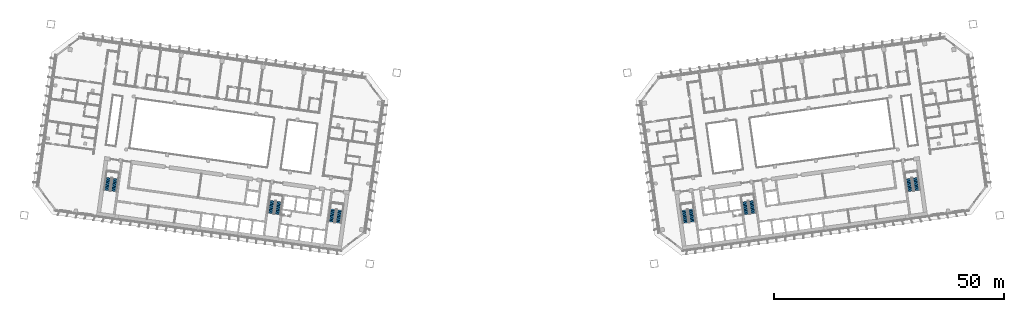
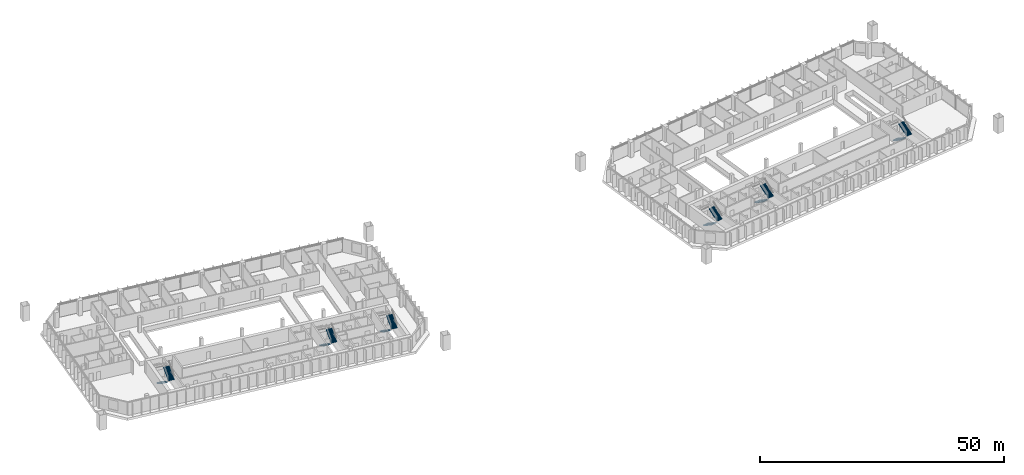
# One storey, part 23 of 26: 12 stair flights, 6 elements without a shape of their own.
"""IFC4 building model written with IfcOpenShell, lengths in metres."""

import ifcopenshell
import ifcopenshell.guid

model = None  # the IFC model being written
_history = None  # IfcOwnerHistory: only IFC2X3 demands one
_inside = {}  # id of a spatial element -> (the spatial element, [elements in it])
_under = {}  # id of a project, library or spatial element -> (it, [spatial elements below it])
_declared = {}  # id of a project -> (the project, [libraries it declares])
_typed = {}  # id of a type object -> (the type object, [elements of that type])
_made_of = {}  # id of a material, layer set ... -> (it, [elements and type objects made of it])


def new_model(schema):
    """Start an empty IFC model of exactly this schema.

    Asked for "IFC4X3", IfcOpenShell would pick the latest addendum, in which some entities
    have other attributes; the version numbers below select the first issue.
    IFC2X3 requires an IfcOwnerHistory on every rooted entity: one is made here for all.
    """
    global model, _history
    if schema == "IFC4X3":
        model = ifcopenshell.file(schema_version=(4, 3, 0, 0))
    else:
        model = ifcopenshell.file(schema=schema)
    _inside.clear()
    _under.clear()
    _declared.clear()
    _typed.clear()
    _made_of.clear()
    _history = None
    if model.schema == "IFC2X3":
        org = make("IfcOrganization", Name="unknown")
        user = make(
            "IfcPersonAndOrganization",
            ThePerson=make("IfcPerson", FamilyName="unknown"),
            TheOrganization=org,
        )
        app = make(
            "IfcApplication",
            ApplicationDeveloper=org,
            Version="unknown",
            ApplicationFullName="unknown",
            ApplicationIdentifier="unknown",
        )
        _history = make(
            "IfcOwnerHistory",
            OwningUser=user,
            OwningApplication=app,
            ChangeAction="ADDED",
            CreationDate=0,
        )
    return model


def make(cls, **values):
    """One entity of the class cls with the attributes given. An attribute that is None is left unset."""
    return model.create_entity(
        cls, **{name: value for name, value in values.items() if value is not None}
    )


def rooted(cls, **values):
    """An entity with a GlobalId (a new one), such as an element, a storey or a relation."""
    return make(cls, GlobalId=ifcopenshell.guid.new(), OwnerHistory=_history, **values)


def si_unit(unit_type, name, prefix=None):
    """IfcSIUnit, for example si_unit("LENGTHUNIT", "METRE", prefix="MILLI")."""
    return make("IfcSIUnit", UnitType=unit_type, Prefix=prefix, Name=name)


def assignment(units):
    """IfcUnitAssignment: the units of a project."""
    return None if units is None else make("IfcUnitAssignment", Units=units)


def point(xyz):
    """IfcCartesianPoint."""
    return None if xyz is None else make("IfcCartesianPoint", Coordinates=xyz)


def direction(xyz):
    """IfcDirection."""
    return None if xyz is None else make("IfcDirection", DirectionRatios=xyz)


def frame(location, z_axis=None, x_axis=None):
    """IfcAxis2Placement3D, a coordinate frame: its origin and axes. An axis left out is left unset."""
    return make(
        "IfcAxis2Placement3D",
        Location=point(location),
        Axis=direction(z_axis),
        RefDirection=direction(x_axis),
    )


def origin():
    """The frame at (0, 0, 0) with its axes left unset."""
    return frame((0.0, 0.0, 0.0))


def place(relative_to, where):
    """IfcLocalPlacement: puts the frame where relative to a parent placement (None: the world)."""
    return make(
        "IfcLocalPlacement", PlacementRelTo=relative_to, RelativePlacement=where
    )


def context(
    kind, dimensions, precision=None, world=None, true_north=None, identifier=None
):
    """IfcGeometricRepresentationContext, for example the 3D "Model" context."""
    return make(
        "IfcGeometricRepresentationContext",
        ContextIdentifier=identifier,
        ContextType=kind,
        CoordinateSpaceDimension=dimensions,
        Precision=precision,
        WorldCoordinateSystem=world,
        TrueNorth=true_north,
    )


def subcontext(parent, identifier, kind, view, scale=None):
    """IfcGeometricRepresentationSubContext, for example "Body" below "Model"."""
    return make(
        "IfcGeometricRepresentationSubContext",
        ContextIdentifier=identifier,
        ContextType=kind,
        ParentContext=parent,
        TargetScale=scale,
        TargetView=view,
    )


def project(units=None, contexts=None):
    """IfcProject with its units and contexts."""
    return rooted(
        "IfcProject",
        Name="project",
        RepresentationContexts=contexts,
        UnitsInContext=assignment(units),
    )


def spatial(cls, under=None, at=None, **own):
    """A site, building, storey or space (cls), placed at a placement, below another one or the project."""
    s = rooted(cls, ObjectPlacement=at, **own)
    if under is not None:
        _under.setdefault(under.id(), (under, []))[1].append(s)
    return s


def polyline(points):
    """IfcPolyline through the points."""
    return make("IfcPolyline", Points=[point(p) for p in points])


def outline(outer, holes=None, kind="AREA"):
    """IfcArbitraryClosedProfileDef: a profile drawn as a closed curve; with holes, ...WithVoids."""
    if holes is None:
        return make("IfcArbitraryClosedProfileDef", ProfileType=kind, OuterCurve=outer)
    return make(
        "IfcArbitraryProfileDefWithVoids",
        ProfileType=kind,
        OuterCurve=outer,
        InnerCurves=holes,
    )


def extrude(swept, where, along, depth):
    """IfcExtrudedAreaSolid: the profile swept, set in the frame where, extruded along a direction by depth."""
    return make(
        "IfcExtrudedAreaSolid",
        SweptArea=swept,
        Position=where,
        ExtrudedDirection=direction(along),
        Depth=depth,
    )


def shape(context_of_items, identifier, shape_type, items):
    """IfcShapeRepresentation: the items that make up one representation, for example the "Body"."""
    return make(
        "IfcShapeRepresentation",
        ContextOfItems=context_of_items,
        RepresentationIdentifier=identifier,
        RepresentationType=shape_type,
        Items=items,
    )


def material(Name=None, Category=None):
    """IfcMaterial."""
    return make("IfcMaterial", Name=Name, Category=Category)


def made_of(thing, what):
    """Note that an element or type object is made of a material, layer set ...; save() writes the relation."""
    if what is not None:
        _made_of.setdefault(what.id(), (what, []))[1].append(thing)
    return thing


def type_object(cls, material=None, **own):
    """A type object (cls), such as IfcWallType, which elements share."""
    return made_of(rooted(cls, **own), material)


def element(
    cls,
    number,
    at=None,
    inside=None,
    cuts=None,
    type_object=None,
    material=None,
    context=None,
    identifier="Body",
    shape_type=None,
    held_by="IfcProductDefinitionShape",
    body=None,
    shapes=None,
    **own,
):
    """One element of the class cls, such as IfcWall. Its Tag is "e" and its number.

    at: its placement. inside: the storey or other place that contains it. cuts: it is an
    opening in that element (IfcRelVoidsElement). A single representation is given by context,
    identifier, shape_type and body (its items); several are given by shapes. held_by: the class
    of the entity that holds the representations. save() writes the other relations.
    """
    e = rooted(cls, Tag="e%d" % number, ObjectPlacement=at, **own)
    if body is not None:
        shapes = [shape(context, identifier, shape_type, body)]
    if shapes is not None:
        e.Representation = make(held_by, Representations=shapes)
    if inside is not None:
        _inside.setdefault(inside.id(), (inside, []))[1].append(e)
    if cuts is not None:
        rooted(
            "IfcRelVoidsElement", RelatingBuildingElement=cuts, RelatedOpeningElement=e
        )
    if type_object is not None:
        _typed.setdefault(type_object.id(), (type_object, []))[1].append(e)
    return made_of(e, material)


def aggregate(whole, parts):
    """IfcRelAggregates: a whole, such as a stair, and the parts it consists of."""
    return rooted("IfcRelAggregates", RelatingObject=whole, RelatedObjects=parts)


def save(model, path):
    """Write the relations noted so far, then the file.

    IfcRelAggregates (storeys below a building ...), IfcRelContainedInSpatialStructure (elements
    in a storey), IfcRelDefinesByType, IfcRelAssociatesMaterial and IfcRelDeclares: one each for
    every whole, place, type object, material and project.
    """
    for whole, parts in _under.values():
        aggregate(whole, parts)
    for where, things in _inside.values():
        rooted(
            "IfcRelContainedInSpatialStructure",
            RelatedElements=things,
            RelatingStructure=where,
        )
    for kind, things in _typed.values():
        rooted("IfcRelDefinesByType", RelatedObjects=things, RelatingType=kind)
    for what, things in _made_of.values():
        rooted("IfcRelAssociatesMaterial", RelatedObjects=things, RelatingMaterial=what)
    for by, libraries in _declared.values():
        rooted("IfcRelDeclares", RelatingContext=by, RelatedDefinitions=libraries)
    model.write(path)


model = new_model("IFC4")

# Units and contexts
model_context = context("Model", 3, precision=1e-05, world=origin(), true_north=direction((0.0, 1.0)))
body_context = subcontext(model_context, "Body", "Model", "MODEL_VIEW")
ifc_project = project(units=[si_unit("LENGTHUNIT", "METRE"), si_unit("AREAUNIT", "SQUARE_METRE"), si_unit("VOLUMEUNIT", "CUBIC_METRE"), si_unit("PLANEANGLEUNIT", "RADIAN"), si_unit("MASSUNIT", "GRAM", prefix="KILO")], contexts=[model_context])

# Site, building, storey
site_placement = place(None, origin())
site = spatial("IfcSite", under=ifc_project, at=site_placement, CompositionType="ELEMENT")
building_placement = place(site_placement, origin())
building = spatial("IfcBuilding", under=site, at=building_placement, Name="Mirante Cascada Hotel Towers", CompositionType="ELEMENT")
storey_placement = place(building_placement, frame((0.0, 0.0, 113.9)))
storey = spatial("IfcBuildingStorey", under=building, at=storey_placement, Name="L25", CompositionType="ELEMENT", Elevation=113.9)

# Stair, stair flights
ifc_material_1 = material(Name="Concrete C35/45", Category="concrete")
stair_type = type_object("IfcStairType", Name="Exit stair half-turn 1350 concrete C35/45", PredefinedType="HALF_TURN_STAIR", material=ifc_material_1)
stair_1_placement = place(storey_placement, origin())
stair_1 = element("IfcStair", 1, at=stair_1_placement, inside=storey, type_object=stair_type, Name="L25 Exit stair A", PredefinedType="HALF_TURN_STAIR")
ifc_material_2 = material(Name="Concrete C35/45", Category="concrete")
stair_flight_type = type_object("IfcStairFlightType", Name="Exit stair flight 1350 concrete C35/45", PredefinedType="STRAIGHT", material=ifc_material_2)
stair_flight_1_placement = place(storey_placement, frame((-38.9417, -11.195, 0.0), z_axis=(0.0, 0.0, 1.0), x_axis=(-0.1391731, -0.9902681, 0.0)))
stair_flight_1 = element("IfcStairFlight", 2, at=stair_flight_1_placement, type_object=stair_flight_type, Name="ST1-A flight 1", NumberOfRisers=11, NumberOfTreads=10, PredefinedType="STRAIGHT", RiserHeight=0.172727273, TreadLength=0.28, context=body_context, shape_type="SweptSolid", body=[
    extrude(outline(polyline([(0.0, 0.0), (0.0, 0.1727), (0.28, 0.1727), (0.28, 0.3455), (0.56, 0.3455), (0.56, 0.5182), (0.84, 0.5182), (0.84, 0.6909), (1.12, 0.6909), (1.12, 0.8636), (1.4, 0.8636), (1.4, 1.0364), (1.68, 1.0364), (1.68, 1.2091), (1.96, 1.2091), (1.96, 1.3818), (2.24, 1.3818), (2.24, 1.5545), (2.52, 1.5545), (2.52, 1.7273), (2.8, 1.7273), (2.8, 1.9), (2.8, 1.551), (0.2857, 0.0), (0.0, 0.0)])), frame((0.0, 0.675, 0.0), z_axis=(0.0, -1.0, 0.0), x_axis=(1.0, 0.0, 0.0)), (0.0, 0.0, 1.0), 1.35),
])
stair_flight_2_placement = place(storey_placement, frame((-37.846, -14.1765, 1.9), z_axis=(0.0, 0.0, 1.0), x_axis=(0.1391731, 0.9902681, 0.0)))
stair_flight_2 = element("IfcStairFlight", 3, at=stair_flight_2_placement, type_object=stair_flight_type, Name="ST1-A flight 2", NumberOfRisers=11, NumberOfTreads=10, PredefinedType="STRAIGHT", RiserHeight=0.172727273, TreadLength=0.28, context=body_context, shape_type="SweptSolid", body=[
    extrude(outline(polyline([(0.0, 0.0), (0.0, 0.1727), (0.28, 0.1727), (0.28, 0.3455), (0.56, 0.3455), (0.56, 0.5182), (0.84, 0.5182), (0.84, 0.6909), (1.12, 0.6909), (1.12, 0.8636), (1.4, 0.8636), (1.4, 1.0364), (1.68, 1.0364), (1.68, 1.2091), (1.96, 1.2091), (1.96, 1.3818), (2.24, 1.3818), (2.24, 1.5545), (2.52, 1.5545), (2.52, 1.7273), (2.8, 1.7273), (2.8, 1.9), (2.8, 1.551), (0.2857, 0.0), (0.0, 0.0)])), frame((0.0, 0.675, 0.0), z_axis=(0.0, -1.0, 0.0), x_axis=(1.0, 0.0, 0.0)), (0.0, 0.0, 1.0), 1.35),
])
aggregate(stair_1, [stair_flight_1, stair_flight_2])

stair_2_placement = place(storey_placement, origin())
stair_2 = element("IfcStair", 4, at=stair_2_placement, inside=storey, type_object=stair_type, Name="L25 Exit stair B", PredefinedType="HALF_TURN_STAIR")
stair_flight_3_placement = place(storey_placement, frame((-52.1618, -9.3371, 0.0), z_axis=(0.0, 0.0, 1.0), x_axis=(-0.1391731, -0.9902681, 0.0)))
stair_flight_3 = element("IfcStairFlight", 5, at=stair_flight_3_placement, type_object=stair_flight_type, Name="ST1-B flight 1", NumberOfRisers=11, NumberOfTreads=10, PredefinedType="STRAIGHT", RiserHeight=0.172727273, TreadLength=0.28, context=body_context, shape_type="SweptSolid", body=[
    extrude(outline(polyline([(0.0, 0.0), (0.0, 0.1727), (0.28, 0.1727), (0.28, 0.3455), (0.56, 0.3455), (0.56, 0.5182), (0.84, 0.5182), (0.84, 0.6909), (1.12, 0.6909), (1.12, 0.8636), (1.4, 0.8636), (1.4, 1.0364), (1.68, 1.0364), (1.68, 1.2091), (1.96, 1.2091), (1.96, 1.3818), (2.24, 1.3818), (2.24, 1.5545), (2.52, 1.5545), (2.52, 1.7273), (2.8, 1.7273), (2.8, 1.9), (2.8, 1.551), (0.2857, 0.0), (0.0, 0.0)])), frame((0.0, 0.675, 0.0), z_axis=(0.0, -1.0, 0.0), x_axis=(1.0, 0.0, 0.0)), (0.0, 0.0, 1.0), 1.35),
])
stair_flight_4_placement = place(storey_placement, frame((-51.0661, -12.3186, 1.9), z_axis=(0.0, 0.0, 1.0), x_axis=(0.1391731, 0.9902681, 0.0)))
stair_flight_4 = element("IfcStairFlight", 6, at=stair_flight_4_placement, type_object=stair_flight_type, Name="ST1-B flight 2", NumberOfRisers=11, NumberOfTreads=10, PredefinedType="STRAIGHT", RiserHeight=0.172727273, TreadLength=0.28, context=body_context, shape_type="SweptSolid", body=[
    extrude(outline(polyline([(0.0, 0.0), (0.0, 0.1727), (0.28, 0.1727), (0.28, 0.3455), (0.56, 0.3455), (0.56, 0.5182), (0.84, 0.5182), (0.84, 0.6909), (1.12, 0.6909), (1.12, 0.8636), (1.4, 0.8636), (1.4, 1.0364), (1.68, 1.0364), (1.68, 1.2091), (1.96, 1.2091), (1.96, 1.3818), (2.24, 1.3818), (2.24, 1.5545), (2.52, 1.5545), (2.52, 1.7273), (2.8, 1.7273), (2.8, 1.9), (2.8, 1.551), (0.2857, 0.0), (0.0, 0.0)])), frame((0.0, 0.675, 0.0), z_axis=(0.0, -1.0, 0.0), x_axis=(1.0, 0.0, 0.0)), (0.0, 0.0, 1.0), 1.35),
])
aggregate(stair_2, [stair_flight_3, stair_flight_4])

stair_3_placement = place(storey_placement, origin())
stair_3 = element("IfcStair", 7, at=stair_3_placement, inside=storey, type_object=stair_type, Name="L25 Exit stair C", PredefinedType="HALF_TURN_STAIR")
stair_flight_5_placement = place(storey_placement, frame((-87.8115, -4.3268, 0.0), z_axis=(0.0, 0.0, 1.0), x_axis=(-0.1391731, -0.9902681, 0.0)))
stair_flight_5 = element("IfcStairFlight", 8, at=stair_flight_5_placement, type_object=stair_flight_type, Name="ST1-C flight 1", NumberOfRisers=11, NumberOfTreads=10, PredefinedType="STRAIGHT", RiserHeight=0.172727273, TreadLength=0.28, context=body_context, shape_type="SweptSolid", body=[
    extrude(outline(polyline([(0.0, 0.0), (0.0, 0.1727), (0.28, 0.1727), (0.28, 0.3455), (0.56, 0.3455), (0.56, 0.5182), (0.84, 0.5182), (0.84, 0.6909), (1.12, 0.6909), (1.12, 0.8636), (1.4, 0.8636), (1.4, 1.0364), (1.68, 1.0364), (1.68, 1.2091), (1.96, 1.2091), (1.96, 1.3818), (2.24, 1.3818), (2.24, 1.5545), (2.52, 1.5545), (2.52, 1.7273), (2.8, 1.7273), (2.8, 1.9), (2.8, 1.551), (0.2857, 0.0), (0.0, 0.0)])), frame((0.0, 0.675, 0.0), z_axis=(0.0, -1.0, 0.0), x_axis=(1.0, 0.0, 0.0)), (0.0, 0.0, 1.0), 1.35),
])
stair_flight_6_placement = place(storey_placement, frame((-86.7157, -7.3084, 1.9), z_axis=(0.0, 0.0, 1.0), x_axis=(0.1391731, 0.9902681, 0.0)))
stair_flight_6 = element("IfcStairFlight", 9, at=stair_flight_6_placement, type_object=stair_flight_type, Name="ST1-C flight 2", NumberOfRisers=11, NumberOfTreads=10, PredefinedType="STRAIGHT", RiserHeight=0.172727273, TreadLength=0.28, context=body_context, shape_type="SweptSolid", body=[
    extrude(outline(polyline([(0.0, 0.0), (0.0, 0.1727), (0.28, 0.1727), (0.28, 0.3455), (0.56, 0.3455), (0.56, 0.5182), (0.84, 0.5182), (0.84, 0.6909), (1.12, 0.6909), (1.12, 0.8636), (1.4, 0.8636), (1.4, 1.0364), (1.68, 1.0364), (1.68, 1.2091), (1.96, 1.2091), (1.96, 1.3818), (2.24, 1.3818), (2.24, 1.5545), (2.52, 1.5545), (2.52, 1.7273), (2.8, 1.7273), (2.8, 1.9), (2.8, 1.551), (0.2857, 0.0), (0.0, 0.0)])), frame((0.0, 0.675, 0.0), z_axis=(0.0, -1.0, 0.0), x_axis=(1.0, 0.0, 0.0)), (0.0, 0.0, 1.0), 1.35),
])
aggregate(stair_3, [stair_flight_5, stair_flight_6])

stair_4_placement = place(storey_placement, origin())
stair_4 = element("IfcStair", 10, at=stair_4_placement, inside=storey, type_object=stair_type, Name="L25 Exit stair A", PredefinedType="HALF_TURN_STAIR")
stair_flight_7_placement = place(storey_placement, frame((37.4563, -11.4038, 0.0), z_axis=(0.0, 0.0, 1.0), x_axis=(0.1391731, -0.9902681, 0.0)))
stair_flight_7 = element("IfcStairFlight", 11, at=stair_flight_7_placement, type_object=stair_flight_type, Name="ST2-A flight 1", NumberOfRisers=11, NumberOfTreads=10, PredefinedType="STRAIGHT", RiserHeight=0.172727273, TreadLength=0.28, context=body_context, shape_type="SweptSolid", body=[
    extrude(outline(polyline([(0.0, 0.0), (0.0, 0.1727), (0.28, 0.1727), (0.28, 0.3455), (0.56, 0.3455), (0.56, 0.5182), (0.84, 0.5182), (0.84, 0.6909), (1.12, 0.6909), (1.12, 0.8636), (1.4, 0.8636), (1.4, 1.0364), (1.68, 1.0364), (1.68, 1.2091), (1.96, 1.2091), (1.96, 1.3818), (2.24, 1.3818), (2.24, 1.5545), (2.52, 1.5545), (2.52, 1.7273), (2.8, 1.7273), (2.8, 1.9), (2.8, 1.551), (0.2857, 0.0), (0.0, 0.0)])), frame((0.0, 0.675, 0.0), z_axis=(0.0, -1.0, 0.0), x_axis=(1.0, 0.0, 0.0)), (0.0, 0.0, 1.0), 1.35),
])
stair_flight_8_placement = place(storey_placement, frame((39.3314, -13.9678, 1.9), z_axis=(0.0, 0.0, 1.0), x_axis=(-0.1391731, 0.9902681, 0.0)))
stair_flight_8 = element("IfcStairFlight", 12, at=stair_flight_8_placement, type_object=stair_flight_type, Name="ST2-A flight 2", NumberOfRisers=11, NumberOfTreads=10, PredefinedType="STRAIGHT", RiserHeight=0.172727273, TreadLength=0.28, context=body_context, shape_type="SweptSolid", body=[
    extrude(outline(polyline([(0.0, 0.0), (0.0, 0.1727), (0.28, 0.1727), (0.28, 0.3455), (0.56, 0.3455), (0.56, 0.5182), (0.84, 0.5182), (0.84, 0.6909), (1.12, 0.6909), (1.12, 0.8636), (1.4, 0.8636), (1.4, 1.0364), (1.68, 1.0364), (1.68, 1.2091), (1.96, 1.2091), (1.96, 1.3818), (2.24, 1.3818), (2.24, 1.5545), (2.52, 1.5545), (2.52, 1.7273), (2.8, 1.7273), (2.8, 1.9), (2.8, 1.551), (0.2857, 0.0), (0.0, 0.0)])), frame((0.0, 0.675, 0.0), z_axis=(0.0, -1.0, 0.0), x_axis=(1.0, 0.0, 0.0)), (0.0, 0.0, 1.0), 1.35),
])
aggregate(stair_4, [stair_flight_7, stair_flight_8])

stair_5_placement = place(storey_placement, origin())
stair_5 = element("IfcStair", 13, at=stair_5_placement, inside=storey, type_object=stair_type, Name="L25 Exit stair B", PredefinedType="HALF_TURN_STAIR")
stair_flight_9_placement = place(storey_placement, frame((50.6764, -9.5458, 0.0), z_axis=(0.0, 0.0, 1.0), x_axis=(0.1391731, -0.9902681, 0.0)))
stair_flight_9 = element("IfcStairFlight", 14, at=stair_flight_9_placement, type_object=stair_flight_type, Name="ST2-B flight 1", NumberOfRisers=11, NumberOfTreads=10, PredefinedType="STRAIGHT", RiserHeight=0.172727273, TreadLength=0.28, context=body_context, shape_type="SweptSolid", body=[
    extrude(outline(polyline([(0.0, 0.0), (0.0, 0.1727), (0.28, 0.1727), (0.28, 0.3455), (0.56, 0.3455), (0.56, 0.5182), (0.84, 0.5182), (0.84, 0.6909), (1.12, 0.6909), (1.12, 0.8636), (1.4, 0.8636), (1.4, 1.0364), (1.68, 1.0364), (1.68, 1.2091), (1.96, 1.2091), (1.96, 1.3818), (2.24, 1.3818), (2.24, 1.5545), (2.52, 1.5545), (2.52, 1.7273), (2.8, 1.7273), (2.8, 1.9), (2.8, 1.551), (0.2857, 0.0), (0.0, 0.0)])), frame((0.0, 0.675, 0.0), z_axis=(0.0, -1.0, 0.0), x_axis=(1.0, 0.0, 0.0)), (0.0, 0.0, 1.0), 1.35),
])
stair_flight_10_placement = place(storey_placement, frame((52.5515, -12.1098, 1.9), z_axis=(0.0, 0.0, 1.0), x_axis=(-0.1391731, 0.9902681, 0.0)))
stair_flight_10 = element("IfcStairFlight", 15, at=stair_flight_10_placement, type_object=stair_flight_type, Name="ST2-B flight 2", NumberOfRisers=11, NumberOfTreads=10, PredefinedType="STRAIGHT", RiserHeight=0.172727273, TreadLength=0.28, context=body_context, shape_type="SweptSolid", body=[
    extrude(outline(polyline([(0.0, 0.0), (0.0, 0.1727), (0.28, 0.1727), (0.28, 0.3455), (0.56, 0.3455), (0.56, 0.5182), (0.84, 0.5182), (0.84, 0.6909), (1.12, 0.6909), (1.12, 0.8636), (1.4, 0.8636), (1.4, 1.0364), (1.68, 1.0364), (1.68, 1.2091), (1.96, 1.2091), (1.96, 1.3818), (2.24, 1.3818), (2.24, 1.5545), (2.52, 1.5545), (2.52, 1.7273), (2.8, 1.7273), (2.8, 1.9), (2.8, 1.551), (0.2857, 0.0), (0.0, 0.0)])), frame((0.0, 0.675, 0.0), z_axis=(0.0, -1.0, 0.0), x_axis=(1.0, 0.0, 0.0)), (0.0, 0.0, 1.0), 1.35),
])
aggregate(stair_5, [stair_flight_9, stair_flight_10])

stair_6_placement = place(storey_placement, origin())
stair_6 = element("IfcStair", 16, at=stair_6_placement, inside=storey, type_object=stair_type, Name="L25 Exit stair C", PredefinedType="HALF_TURN_STAIR")
stair_flight_11_placement = place(storey_placement, frame((86.326, -4.5356, 0.0), z_axis=(0.0, 0.0, 1.0), x_axis=(0.1391731, -0.9902681, 0.0)))
stair_flight_11 = element("IfcStairFlight", 17, at=stair_flight_11_placement, type_object=stair_flight_type, Name="ST2-C flight 1", NumberOfRisers=11, NumberOfTreads=10, PredefinedType="STRAIGHT", RiserHeight=0.172727273, TreadLength=0.28, context=body_context, shape_type="SweptSolid", body=[
    extrude(outline(polyline([(0.0, 0.0), (0.0, 0.1727), (0.28, 0.1727), (0.28, 0.3455), (0.56, 0.3455), (0.56, 0.5182), (0.84, 0.5182), (0.84, 0.6909), (1.12, 0.6909), (1.12, 0.8636), (1.4, 0.8636), (1.4, 1.0364), (1.68, 1.0364), (1.68, 1.2091), (1.96, 1.2091), (1.96, 1.3818), (2.24, 1.3818), (2.24, 1.5545), (2.52, 1.5545), (2.52, 1.7273), (2.8, 1.7273), (2.8, 1.9), (2.8, 1.551), (0.2857, 0.0), (0.0, 0.0)])), frame((0.0, 0.675, 0.0), z_axis=(0.0, -1.0, 0.0), x_axis=(1.0, 0.0, 0.0)), (0.0, 0.0, 1.0), 1.35),
])
stair_flight_12_placement = place(storey_placement, frame((88.2011, -7.0996, 1.9), z_axis=(0.0, 0.0, 1.0), x_axis=(-0.1391731, 0.9902681, 0.0)))
stair_flight_12 = element("IfcStairFlight", 18, at=stair_flight_12_placement, type_object=stair_flight_type, Name="ST2-C flight 2", NumberOfRisers=11, NumberOfTreads=10, PredefinedType="STRAIGHT", RiserHeight=0.172727273, TreadLength=0.28, context=body_context, shape_type="SweptSolid", body=[
    extrude(outline(polyline([(0.0, 0.0), (0.0, 0.1727), (0.28, 0.1727), (0.28, 0.3455), (0.56, 0.3455), (0.56, 0.5182), (0.84, 0.5182), (0.84, 0.6909), (1.12, 0.6909), (1.12, 0.8636), (1.4, 0.8636), (1.4, 1.0364), (1.68, 1.0364), (1.68, 1.2091), (1.96, 1.2091), (1.96, 1.3818), (2.24, 1.3818), (2.24, 1.5545), (2.52, 1.5545), (2.52, 1.7273), (2.8, 1.7273), (2.8, 1.9), (2.8, 1.551), (0.2857, 0.0), (0.0, 0.0)])), frame((0.0, 0.675, 0.0), z_axis=(0.0, -1.0, 0.0), x_axis=(1.0, 0.0, 0.0)), (0.0, 0.0, 1.0), 1.35),
])
aggregate(stair_6, [stair_flight_11, stair_flight_12])

save(model, "model.ifc")
